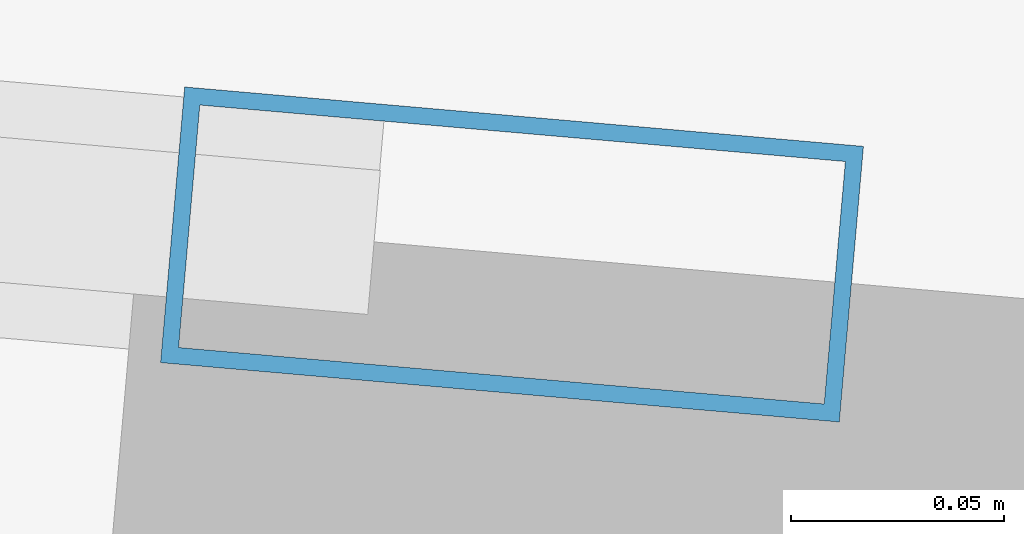
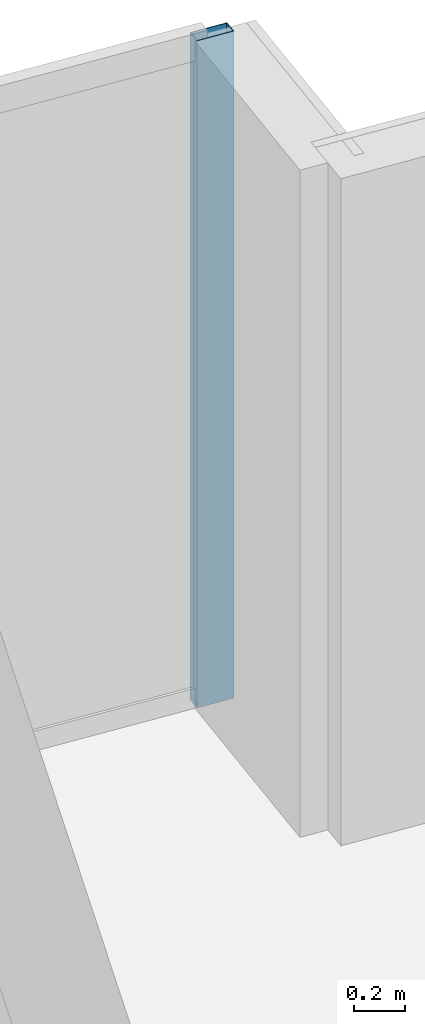
# One storey, part 22 of 32: 1 member, 1 element without a shape of its own.
"""IFC4 building model written with IfcOpenShell, lengths in metres."""

from ifc_helpers import new_model, si_unit, direction, frame, origin, origin_2d, place, context, subcontext, project, spatial, hollow_rectangle, extrude, material, material_profile, profile_set, type_object, element, aggregate, save


model = new_model("IFC4")

# Units and contexts
model_context = context("Model", 3, precision=1e-05, world=origin(), true_north=direction((0.0, 1.0)))
body_context = subcontext(model_context, "Body", "Model", "MODEL_VIEW")
ifc_project = project(units=[si_unit("LENGTHUNIT", "METRE"), si_unit("AREAUNIT", "SQUARE_METRE"), si_unit("VOLUMEUNIT", "CUBIC_METRE"), si_unit("PLANEANGLEUNIT", "RADIAN"), si_unit("MASSUNIT", "GRAM", prefix="KILO")], contexts=[model_context])

# Site, building, storey
site_placement = place(None, origin())
site = spatial("IfcSite", under=ifc_project, at=site_placement, CompositionType="ELEMENT")
building_placement = place(site_placement, origin())
building = spatial("IfcBuilding", under=site, at=building_placement, Name="Yelkora Congress Tower", CompositionType="ELEMENT")
storey_placement = place(building_placement, frame((0.0, 0.0, 262.5)))
storey = spatial("IfcBuildingStorey", under=building, at=storey_placement, Name="L73", CompositionType="ELEMENT", Elevation=262.5)

# Curtain wall, member
ifc_material_1 = material(Name="Anodised aluminium and insulated glass", Category="aluminium")
curtain_wall_type = type_object("IfcCurtainWallType", Name="CW-SYS-B5", PredefinedType="NOTDEFINED", material=ifc_material_1)
curtain_wall_placement = place(storey_placement, origin())
curtain_wall = element("IfcCurtainWall", 1, at=curtain_wall_placement, inside=storey, type_object=curtain_wall_type, Name="L73 Unitised Curtain Wall 10", PredefinedType="NOTDEFINED")
ifc_material_2 = material(Name="Anodised aluminium 6063-T6", Category="aluminium")
ifc_material_profile = material_profile(ifc_material_2, hollow_rectangle(XDim=0.06494140625, YDim=0.159912109375, WallThickness=0.00390625, at=origin_2d()), Name="ALU 65x160x4")
ifc_profile_set = profile_set([ifc_material_profile], Name="Anodised aluminium 6063-T6")
member_type = type_object("IfcMemberType", Name="MEM-ML-B5", PredefinedType="MULLION", material=ifc_profile_set)
member_placement = place(storey_placement, frame((55.753662109375, 46.44580078125, 0.0), z_axis=(0.0, 0.0, 1.0), x_axis=(0.087156639893, 0.996194619601, 0.0)))
member = element("IfcMember", 2, at=member_placement, type_object=member_type, Name="CW-B5 mullion 8", PredefinedType="MULLION", context=body_context, shape_type="SweptSolid", body=[
    extrude(hollow_rectangle(XDim=0.06494140625, YDim=0.159912109375, WallThickness=0.00390625, at=origin_2d()), origin(), (0.0, 0.0, 1.0), 3.179931640625),
])
aggregate(curtain_wall, [member])

save(model, "model.ifc")
